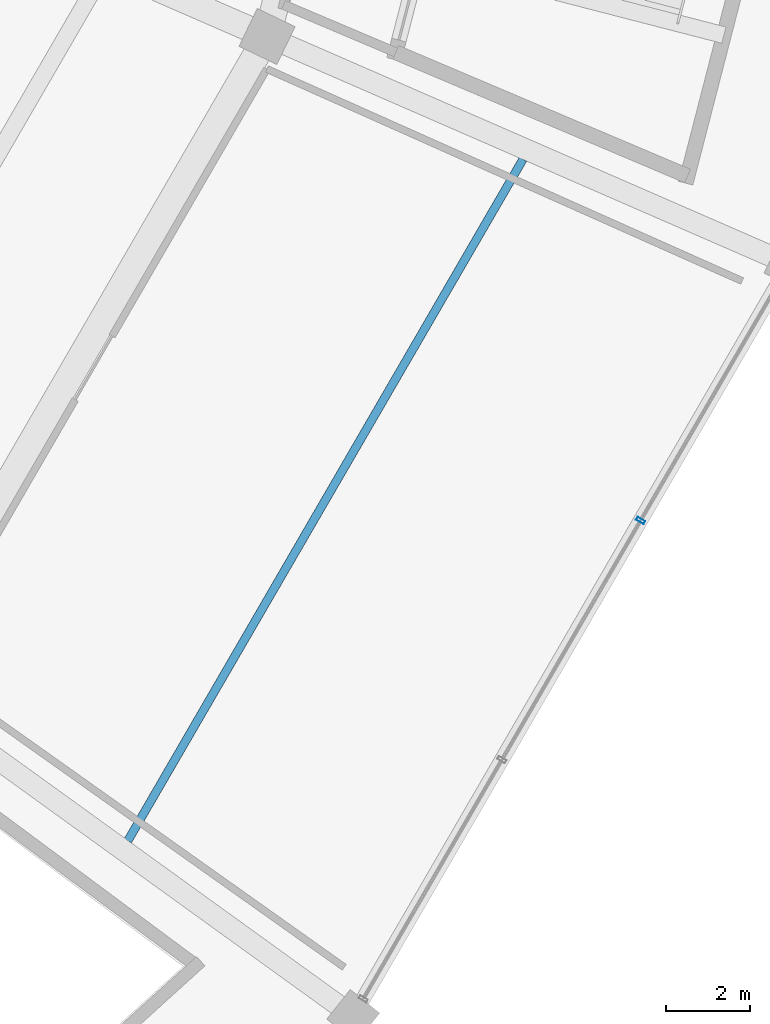
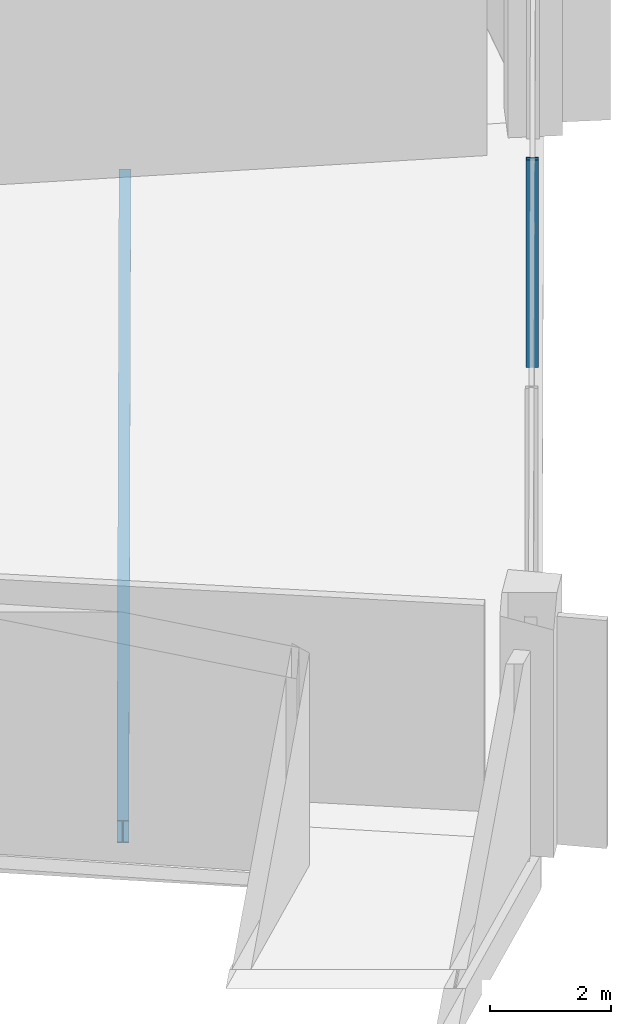
# One storey, part 72 of 184: 1 beam, 1 member, 1 element without a shape of its own.
"""IFC4 building model written with IfcOpenShell, lengths in metres."""

from ifc_helpers import new_model, si_unit, direction, frame, origin, origin_2d, place, context, subcontext, project, spatial, hollow_rectangle, i_section, extrude, material, layer, layer_set, material_profile, profile_set, type_object, element, aggregate, save


model = new_model("IFC4")

# Units and contexts
model_context = context("Model", 3, precision=1e-05, world=origin(), true_north=direction((0.0, 1.0)))
body_context = subcontext(model_context, "Body", "Model", "MODEL_VIEW")
ifc_project = project(units=[si_unit("LENGTHUNIT", "METRE"), si_unit("AREAUNIT", "SQUARE_METRE"), si_unit("VOLUMEUNIT", "CUBIC_METRE"), si_unit("PLANEANGLEUNIT", "RADIAN"), si_unit("MASSUNIT", "GRAM", prefix="KILO")], contexts=[model_context])

# Site, building, storey
site_placement = place(None, origin())
site = spatial("IfcSite", under=ifc_project, at=site_placement, CompositionType="ELEMENT")
building_placement = place(site_placement, origin())
building = spatial("IfcBuilding", under=site, at=building_placement, Name="Kazemori Nagisa Stadium", CompositionType="ELEMENT")
storey_placement = place(building_placement, frame((0.0, 0.0, 10.5400390625)))
storey = spatial("IfcBuildingStorey", under=building, at=storey_placement, Name="L02", CompositionType="ELEMENT", Elevation=10.5400390625)

# Beam
ifc_material_1 = material(Name="Steel SN490B", Category="steel")
ifc_material_profile_1 = material_profile(ifc_material_1, i_section(OverallWidth=0.199951171875, OverallDepth=0.449951171875, WebThickness=0.009033203125, FlangeThickness=0.013916015625, FilletRadius=0.012939453125, at=origin_2d()), Name="H-450x200x9x14")
ifc_profile_set_1 = profile_set([ifc_material_profile_1], Name="Steel SN490B")
beam_type = type_object("IfcBeamType", Name="Beam_BJ-H450", PredefinedType="JOIST", material=ifc_profile_set_1)
beam_placement = place(storey_placement, frame((196.12353515625, 49.510986328125, -0.485107421875), z_axis=(0.501610844533, 0.865093382616, 0.0), x_axis=(-0.865093382616, 0.501610844533, 0.0)))
element("IfcBeam", 1, at=beam_placement, inside=storey, type_object=beam_type, Name="Outer bay joist BJ-H450 L02 B26", PredefinedType="JOIST", context=body_context, shape_type="SweptSolid", body=[
    extrude(i_section(OverallWidth=0.199951171875, OverallDepth=0.449951171875, WebThickness=0.009033203125, FlangeThickness=0.013916015625, FilletRadius=0.012939453125, at=origin_2d()), origin(), (0.0, 0.0, 1.0), 18.7724609375),
])

# Curtain wall, member
ifc_material_2 = material(Name="Anodised aluminium 6063-T5", Category="aluminium")
ifc_layer = layer(ifc_material_2, 0.2099609375, Name="Anodised aluminium 6063-T5", Category="aluminium")
ifc_layer_set = layer_set([ifc_layer], Name="Anodised aluminium 6063-T5")
curtain_wall_type = type_object("IfcCurtainWallType", Name="CW_L02R3_99", PredefinedType="USERDEFINED", material=ifc_layer_set)
curtain_wall_placement = place(storey_placement, origin())
curtain_wall = element("IfcCurtainWall", 2, at=curtain_wall_placement, inside=storey, type_object=curtain_wall_type, Name="Unitised curtain wall CW-L02R3-99 L02", ObjectType="UNITISED CURTAIN WALL", PredefinedType="USERDEFINED")
ifc_material_3 = material(Name="Aluminium 6063-T5 anodised", Category="aluminium")
ifc_material_profile_2 = material_profile(ifc_material_3, hollow_rectangle(XDim=0.080078125, YDim=0.2099609375, WallThickness=0.0048828125, at=origin_2d()), Name="ALU-MULL-80x210x5")
ifc_profile_set_2 = profile_set([ifc_material_profile_2], Name="Aluminium 6063-T5 anodised")
member_type = type_object("IfcMemberType", Name="Mullion_M02", PredefinedType="MULLION", material=ifc_profile_set_2)
member_placement = place(storey_placement, frame((208.34228515625, 57.140869140625, 0.0), z_axis=(0.0, 0.0, 1.0), x_axis=(0.501611590054, 0.865092950337, 0.0)))
member = element("IfcMember", 3, at=member_placement, type_object=member_type, Name="Curtain wall mullion CW-L02R3-99-M3", PredefinedType="MULLION", context=body_context, shape_type="SweptSolid", body=[
    extrude(hollow_rectangle(XDim=0.080078125, YDim=0.2099609375, WallThickness=0.0048828125, at=origin_2d()), origin(), (0.0, 0.0, 1.0), 4.18994140625),
])
aggregate(curtain_wall, [member])

save(model, "model.ifc")
